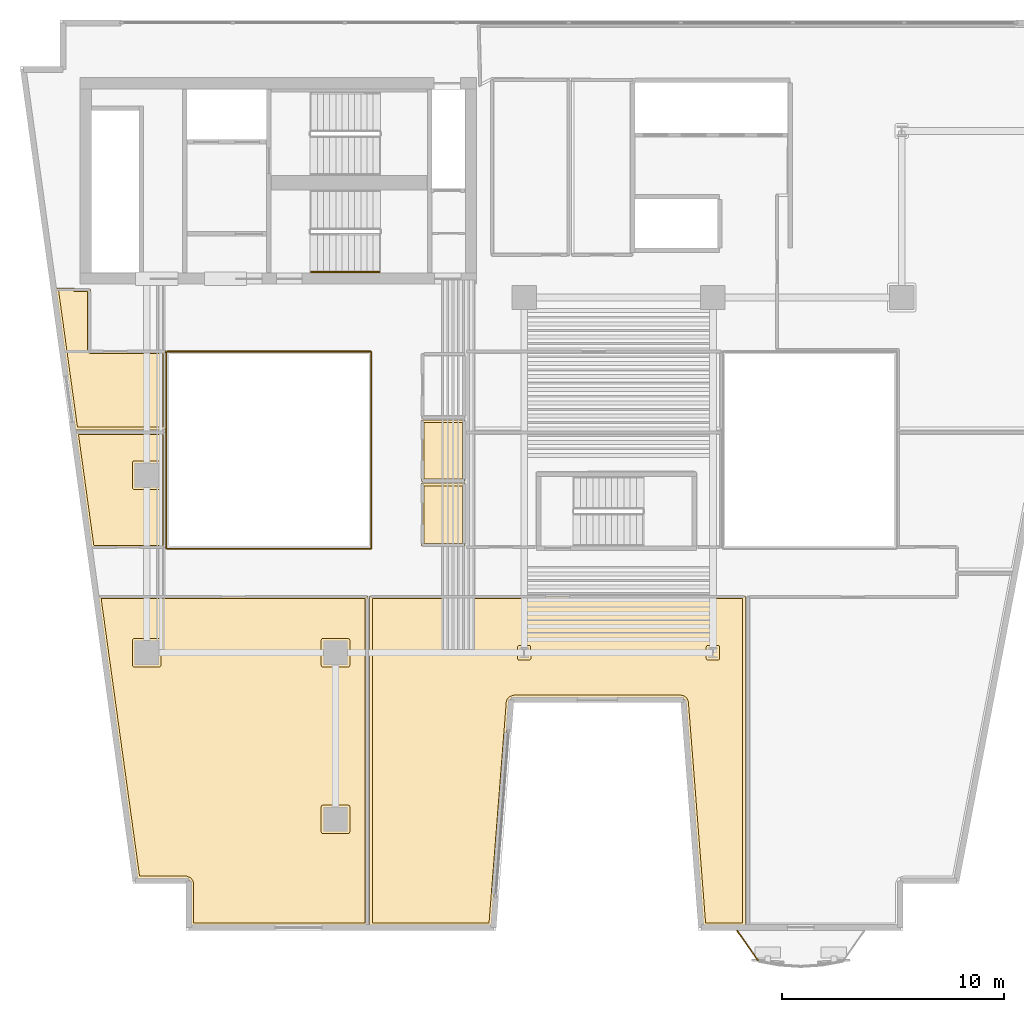
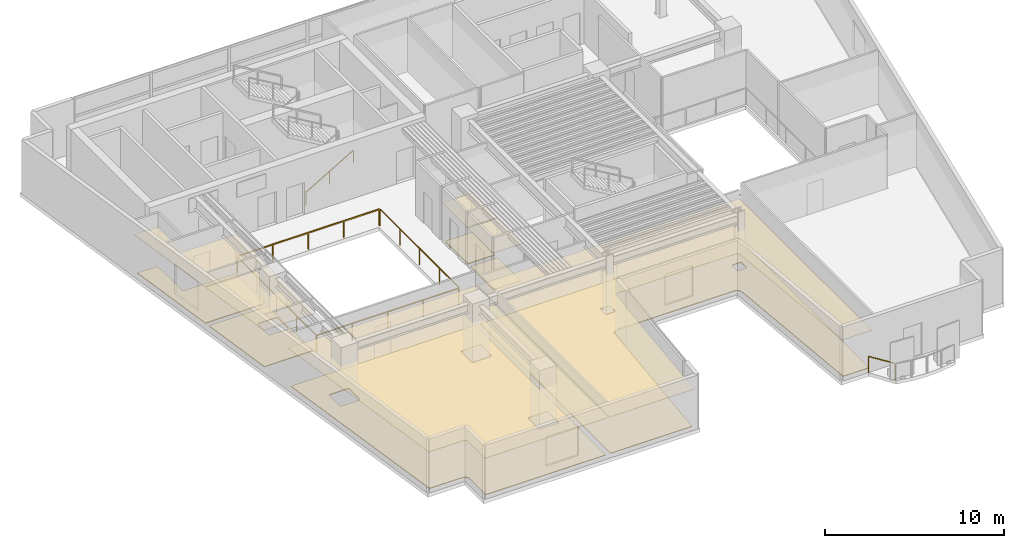
# One storey, part 9 of 13: 12 coverings, 6 railings.
"""IFC4 building model written with IfcOpenShell, lengths in metres."""

from ifc_helpers import new_model, si_unit, direction, frame, origin, origin_2d, place, context, subcontext, project, spatial, polyline, rectangle, outline, extrude, material, layer, layer_set, type_object, element, save


model = new_model("IFC4")

# Units and contexts
model_context = context("Model", 3, precision=1e-05, world=origin(), true_north=direction((0.0, 1.0)))
body_context = subcontext(model_context, "Body", "Model", "MODEL_VIEW")
ifc_project = project(units=[si_unit("LENGTHUNIT", "METRE"), si_unit("AREAUNIT", "SQUARE_METRE"), si_unit("VOLUMEUNIT", "CUBIC_METRE"), si_unit("PLANEANGLEUNIT", "RADIAN"), si_unit("MASSUNIT", "GRAM", prefix="KILO")], contexts=[model_context])

# Site, building, storey
site_placement = place(None, origin())
site = spatial("IfcSite", under=ifc_project, at=site_placement, CompositionType="ELEMENT")
building_placement = place(site_placement, origin())
building = spatial("IfcBuilding", under=site, at=building_placement, Name="Caeloran Harvest Quay", CompositionType="ELEMENT")
storey_placement = place(building_placement, frame((0.0, 0.0, 139.050048828125)))
storey = spatial("IfcBuildingStorey", under=building, at=storey_placement, Name="L32", CompositionType="ELEMENT", Elevation=139.050048828125)

# Coverings
ifc_material_1 = material(Name="Perforated Mineral-Fibre Acoustic Ceiling Tile", Category="ceiling")
ifc_layer_1 = layer(ifc_material_1, 0.0400390625, Name="Perforated Mineral-Fibre Acoustic Ceiling Tile")
ifc_layer_set_1 = layer_set([ifc_layer_1], Name="Perforated Mineral-Fibre Acoustic Ceiling Tile")
covering_type_1 = type_object("IfcCoveringType", Name="COV-CEILING-ACOUSTIC", PredefinedType="CEILING", material=ifc_layer_set_1)
covering_1_placement = place(storey_placement, frame((0.0, 0.0, 2.599853515625)))
element("IfcCovering", 1, at=covering_1_placement, inside=storey, type_object=covering_type_1, Name="L32 Female Washroom WC Acoustic Ceiling", PredefinedType="CEILING", context=body_context, shape_type="SweptSolid", body=[
    extrude(outline(polyline([(22.840087890625, 22.7099609375), (20.8701171875, 22.7099609375), (20.8701171875, 25.489990234375), (22.840087890625, 25.489990234375), (22.840087890625, 22.7099609375)])), origin(), (0.0, 0.0, 1.0), 0.0400390625),
])
covering_2_placement = place(storey_placement, frame((0.0, 0.0, 2.599853515625)))
element("IfcCovering", 2, at=covering_2_placement, inside=storey, type_object=covering_type_1, Name="L32 Accessible Unisex Washroom WC Acoustic Ceiling", PredefinedType="CEILING", context=body_context, shape_type="SweptSolid", body=[
    extrude(outline(polyline([(22.840087890625, 19.81005859375), (20.8701171875, 19.81005859375), (20.8701171875, 22.639892578125), (22.840087890625, 22.639892578125), (22.840087890625, 19.81005859375)])), origin(), (0.0, 0.0, 1.0), 0.0400390625),
])
covering_3_placement = place(storey_placement, frame((0.0, 0.0, 2.599853515625)))
element("IfcCovering", 3, at=covering_3_placement, inside=storey, type_object=covering_type_1, Name="Cellular Agriculture Bioprocess Laboratory Acoustic Ceiling", PredefinedType="CEILING", context=body_context, shape_type="SweptSolid", body=[
    extrude(outline(polyline([(10.452880859375, 4.72216796875), (10.373779296875, 4.7939453125), (10.26904296875, 4.820068359375), (8.0712890625, 4.820068359375), (6.309326171875, 17.56005859375), (18.4599609375, 17.56005859375), (18.4599609375, 2.719970703125), (10.489990234375, 2.719970703125), (10.489990234375, 4.59912109375), (10.452880859375, 4.72216796875)])), origin(), (0.0, 0.0, 1.0), 0.0400390625),
])
covering_4_placement = place(storey_placement, frame((0.0, 0.0, 2.599853515625)))
element("IfcCovering", 4, at=covering_4_placement, inside=storey, type_object=covering_type_1, Name="Fermentation Pilot Laboratory Acoustic Ceiling", PredefinedType="CEILING", context=body_context, shape_type="SweptSolid", body=[
    extrude(outline(polyline([(32.771484375, 12.788818359375), (32.739501953125, 12.86962890625), (32.696044921875, 12.918701171875), (32.61962890625, 12.960205078125), (32.553955078125, 12.969970703125), (25.031005859375, 12.969970703125), (24.90625, 12.931884765625), (24.83447265625, 12.850830078125), (24.810546875, 12.76611328125), (24.026611328125, 2.719970703125), (18.5400390625, 2.719970703125), (18.5400390625, 17.56005859375), (35.4599609375, 17.56005859375), (35.4599609375, 2.719970703125), (33.55859375, 2.719970703125), (32.771484375, 12.788818359375)])), origin(), (0.0, 0.0, 1.0), 0.0400390625),
])
covering_5_placement = place(storey_placement, frame((0.0, 0.0, 2.599853515625)))
element("IfcCovering", 5, at=covering_5_placement, inside=storey, type_object=covering_type_1, Name="Design Thinking Seminar Hall Acoustic Ceiling", PredefinedType="CEILING", context=body_context, shape_type="SweptSolid", body=[
    extrude(outline(polyline([(9.360107421875, 19.7099609375), (6.01220703125, 19.7099609375), (5.285888671875, 24.9599609375), (9.360107421875, 24.9599609375), (9.360107421875, 19.7099609375)])), origin(), (0.0, 0.0, 1.0), 0.0400390625),
])
covering_6_placement = place(storey_placement, frame((0.0, 0.0, 2.599853515625)))
element("IfcCovering", 6, at=covering_6_placement, inside=storey, type_object=covering_type_1, Name="Cellular Agriculture Bioprocess Laboratory 8 Acoustic Ceiling", PredefinedType="CEILING", context=body_context, shape_type="SweptSolid", body=[
    extrude(outline(polyline([(5.260009765625, 31.389892578125), (5.9599609375, 31.389892578125), (5.9599609375, 28.610107421875), (9.360107421875, 28.610107421875), (9.360107421875, 25.0400390625), (5.27490234375, 25.0400390625), (4.391357421875, 31.429931640625), (5.214599609375, 31.429931640625), (5.260009765625, 31.408447265625), (5.260009765625, 31.389892578125)])), origin(), (0.0, 0.0, 1.0), 0.0400390625),
])
ifc_material_2 = material(Name="Calcium-Sulphate Raised Access Floor and Terrazzo Finish", Category="flooring")
ifc_layer_2 = layer(ifc_material_2, 0.050048828125, Name="Calcium-Sulphate Raised Access Floor and Terrazzo Finish")
ifc_layer_set_2 = layer_set([ifc_layer_2], Name="Calcium-Sulphate Raised Access Floor and Terrazzo Finish")
covering_type_2 = type_object("IfcCoveringType", Name="COV-FLOOR-RAISED", PredefinedType="FLOORING", material=ifc_layer_set_2)
covering_7_placement = place(storey_placement, origin())
element("IfcCovering", 7, at=covering_7_placement, inside=storey, type_object=covering_type_2, Name="L32 Female Washroom WC Raised Finish Flooring", PredefinedType="FLOORING", context=body_context, shape_type="SweptSolid", body=[
    extrude(outline(polyline([(22.719970703125, 22.830078125), (20.989990234375, 22.830078125), (20.989990234375, 25.3701171875), (22.719970703125, 25.3701171875), (22.719970703125, 22.830078125)])), origin(), (0.0, 0.0, 1.0), 0.050048828125),
])
covering_8_placement = place(storey_placement, origin())
element("IfcCovering", 8, at=covering_8_placement, inside=storey, type_object=covering_type_2, Name="L32 Accessible Unisex Washroom WC Raised Finish Flooring", PredefinedType="FLOORING", context=body_context, shape_type="SweptSolid", body=[
    extrude(outline(polyline([(22.719970703125, 19.929931640625), (20.989990234375, 19.929931640625), (20.989990234375, 22.52001953125), (22.719970703125, 22.52001953125), (22.719970703125, 19.929931640625)])), origin(), (0.0, 0.0, 1.0), 0.050048828125),
])
covering_9_placement = place(storey_placement, origin())
element("IfcCovering", 9, at=covering_9_placement, inside=storey, type_object=covering_type_2, Name="Cellular Agriculture Bioprocess Laboratory Raised Finish Flooring", PredefinedType="FLOORING", context=body_context, shape_type="SweptSolid", body=[
    extrude(outline(polyline([(10.58544921875, 4.726318359375), (10.482666015625, 4.865234375), (10.29931640625, 4.938720703125), (8.17578125, 4.93994140625), (6.447021484375, 17.43994140625), (18.340087890625, 17.43994140625), (18.340087890625, 2.840087890625), (10.610107421875, 2.840087890625), (10.610107421875, 4.60009765625), (10.58544921875, 4.726318359375)]), holes=[polyline([(16.43505859375, 8.14501953125), (16.37841796875, 8.12158203125), (16.35498046875, 8.06494140625), (16.35498046875, 6.93505859375), (16.37841796875, 6.87841796875), (16.43505859375, 6.85498046875), (17.56494140625, 6.85498046875), (17.62158203125, 6.87841796875), (17.64501953125, 6.93505859375), (17.64501953125, 8.06494140625), (17.62158203125, 8.12158203125), (17.56494140625, 8.14501953125), (16.43505859375, 8.14501953125)]), polyline([(16.43505859375, 15.64501953125), (16.37841796875, 15.62158203125), (16.35498046875, 15.56494140625), (16.35498046875, 14.43505859375), (16.37841796875, 14.37841796875), (16.43505859375, 14.35498046875), (17.56494140625, 14.35498046875), (17.62158203125, 14.37841796875), (17.64501953125, 14.43505859375), (17.64501953125, 15.56494140625), (17.62158203125, 15.62158203125), (17.56494140625, 15.64501953125), (16.43505859375, 15.64501953125)]), polyline([(7.93505859375, 15.64501953125), (7.87841796875, 15.62158203125), (7.85498046875, 15.56494140625), (7.85498046875, 14.43505859375), (7.87841796875, 14.37841796875), (7.93505859375, 14.35498046875), (9.06494140625, 14.35498046875), (9.12158203125, 14.37841796875), (9.14501953125, 14.43505859375), (9.14501953125, 15.56494140625), (9.12158203125, 15.62158203125), (9.06494140625, 15.64501953125), (7.93505859375, 15.64501953125)])]), origin(), (0.0, 0.0, 1.0), 0.050048828125),
])
covering_10_placement = place(storey_placement, origin())
element("IfcCovering", 10, at=covering_10_placement, inside=storey, type_object=covering_type_2, Name="Fermentation Pilot Laboratory Raised Finish Flooring", PredefinedType="FLOORING", context=body_context, shape_type="SweptSolid", body=[
    extrude(outline(polyline([(32.89404296875, 12.776611328125), (32.85888671875, 12.902099609375), (32.795166015625, 12.990478515625), (32.68310546875, 13.06494140625), (32.55908203125, 13.08984375), (25.030029296875, 13.090087890625), (24.835693359375, 13.02880859375), (24.729736328125, 12.9091796875), (24.69091796875, 12.776611328125), (23.91552734375, 2.840087890625), (18.659912109375, 2.840087890625), (18.659912109375, 17.43994140625), (35.340087890625, 17.43994140625), (35.340087890625, 2.840087890625), (33.66943359375, 2.840087890625), (32.89404296875, 12.776611328125)]), holes=[polyline([(34.306884765625, 14.748046875), (34.288818359375, 15.302734375), (34.23486328125, 15.33154296875), (33.77294921875, 15.33203125), (33.71630859375, 15.30859375), (33.693115234375, 15.251953125), (33.693115234375, 14.748046875), (33.71630859375, 14.69140625), (33.77294921875, 14.66796875), (34.22705078125, 14.66796875), (34.28369140625, 14.69140625), (34.306884765625, 14.748046875)]), polyline([(25.806884765625, 14.748046875), (25.788818359375, 15.302734375), (25.73486328125, 15.33154296875), (25.27294921875, 15.33203125), (25.21630859375, 15.30859375), (25.193115234375, 15.251953125), (25.193115234375, 14.748046875), (25.21630859375, 14.69140625), (25.27294921875, 14.66796875), (25.72705078125, 14.66796875), (25.78369140625, 14.69140625), (25.806884765625, 14.748046875)])]), origin(), (0.0, 0.0, 1.0), 0.050048828125),
])
covering_11_placement = place(storey_placement, origin())
element("IfcCovering", 11, at=covering_11_placement, inside=storey, type_object=covering_type_2, Name="Design Thinking Seminar Hall Raised Finish Flooring", PredefinedType="FLOORING", context=body_context, shape_type="SweptSolid", body=[
    extrude(outline(polyline([(9.239990234375, 24.840087890625), (9.239990234375, 19.830078125), (6.11669921875, 19.830078125), (5.423828125, 24.840087890625), (9.239990234375, 24.840087890625)]), holes=[polyline([(9.14501953125, 23.56494140625), (9.12158203125, 23.62158203125), (9.06494140625, 23.64501953125), (7.93505859375, 23.64501953125), (7.87841796875, 23.62158203125), (7.85498046875, 23.56494140625), (7.85498046875, 22.43505859375), (7.87841796875, 22.37841796875), (7.93505859375, 22.35498046875), (9.06494140625, 22.35498046875), (9.12158203125, 22.37841796875), (9.14501953125, 22.43505859375), (9.14501953125, 23.56494140625)])]), origin(), (0.0, 0.0, 1.0), 0.050048828125),
])
covering_12_placement = place(storey_placement, origin())
element("IfcCovering", 12, at=covering_12_placement, inside=storey, type_object=covering_type_2, Name="Cellular Agriculture Bioprocess Laboratory 8 Raised Finish Flooring", PredefinedType="FLOORING", context=body_context, shape_type="SweptSolid", body=[
    extrude(outline(polyline([(5.165283203125, 31.31005859375), (5.2431640625, 31.270263671875), (5.840087890625, 31.27001953125), (5.840087890625, 28.60009765625), (5.8857421875, 28.5107421875), (5.949951171875, 28.489990234375), (9.239990234375, 28.489990234375), (9.239990234375, 25.159912109375), (5.37939453125, 25.159912109375), (4.529052734375, 31.31005859375), (5.165283203125, 31.31005859375)])), origin(), (0.0, 0.0, 1.0), 0.050048828125),
])

# Railings
ifc_material_3 = material(Name="Powder-Coated Steel Post and Laminated Glass Guardrail", Category="steel")
ifc_layer_3 = layer(ifc_material_3, 0.06005859375, Name="Powder-Coated Steel Post and Laminated Glass Guardrail")
ifc_layer_set_3 = layer_set([ifc_layer_3], Name="Powder-Coated Steel Post and Laminated Glass Guardrail")
railing_type_1 = type_object("IfcRailingType", Name="GUARD-ATRIUM-1150", PredefinedType="GUARDRAIL", material=ifc_layer_set_3)
railing_1_placement = place(storey_placement, frame((9.412109375, 19.679931640625, 0.0)))
element("IfcRailing", 13, at=railing_1_placement, inside=storey, type_object=railing_type_1, Name="L32 Skylit Atrium Void Perimeter Guardrail Seg 1", PredefinedType="GUARDRAIL", context=body_context, shape_type="SweptSolid", body=[
    extrude(rectangle(XDim=0.048095703125, YDim=0.048095703125, at=origin_2d()), frame((0.0, 0.0, 1.1259765625), z_axis=(1.0, 0.0, 0.0), x_axis=(0.0, 1.0, 0.0)), (0.0, 0.0, 1.0), 9.17578125),
    extrude(rectangle(XDim=0.0419921875, YDim=0.0419921875, at=origin_2d()), origin(), (0.0, 0.0, 1.0), 1.101806640625),
    extrude(rectangle(XDim=0.0419921875, YDim=0.0419921875, at=origin_2d()), frame((2.2939453125, 0.0, 0.0)), (0.0, 0.0, 1.0), 1.101806640625),
    extrude(rectangle(XDim=0.0419921875, YDim=0.0419921875, at=origin_2d()), frame((4.587890625, 0.0, 0.0)), (0.0, 0.0, 1.0), 1.101806640625),
    extrude(rectangle(XDim=0.0419921875, YDim=0.0419921875, at=origin_2d()), frame((6.8818359375, 0.0, 0.0)), (0.0, 0.0, 1.0), 1.101806640625),
    extrude(rectangle(XDim=0.0419921875, YDim=0.0419921875, at=origin_2d()), frame((9.17578125, 0.0, 0.0)), (0.0, 0.0, 1.0), 1.101806640625),
])
railing_2_placement = place(storey_placement, frame((18.6201171875, 19.7119140625, 0.0)))
element("IfcRailing", 14, at=railing_2_placement, inside=storey, type_object=railing_type_1, Name="L32 Skylit Atrium Void Perimeter Guardrail Seg 2", PredefinedType="GUARDRAIL", context=body_context, shape_type="SweptSolid", body=[
    extrude(rectangle(XDim=0.048095703125, YDim=0.048095703125, at=origin_2d()), frame((0.0, 0.0, 1.1259765625), z_axis=(0.0, 1.0, 0.0), x_axis=(-1.0, 0.0, 0.0)), (0.0, 0.0, 1.0), 8.826171875),
    extrude(rectangle(XDim=0.0419921875, YDim=0.0419921875, at=origin_2d()), origin(), (0.0, 0.0, 1.0), 1.101806640625),
    extrude(rectangle(XDim=0.0419921875, YDim=0.0419921875, at=origin_2d()), frame((0.0, 2.20654296875, 0.0)), (0.0, 0.0, 1.0), 1.101806640625),
    extrude(rectangle(XDim=0.0419921875, YDim=0.0419921875, at=origin_2d()), frame((0.0, 4.4130859375, 0.0)), (0.0, 0.0, 1.0), 1.101806640625),
    extrude(rectangle(XDim=0.0419921875, YDim=0.0419921875, at=origin_2d()), frame((0.0, 6.61962890625, 0.0)), (0.0, 0.0, 1.0), 1.101806640625),
    extrude(rectangle(XDim=0.0419921875, YDim=0.0419921875, at=origin_2d()), frame((0.0, 8.826171875, 0.0)), (0.0, 0.0, 1.0), 1.101806640625),
])
railing_3_placement = place(storey_placement, frame((18.587890625, 28.570068359375, 0.0)))
element("IfcRailing", 15, at=railing_3_placement, inside=storey, type_object=railing_type_1, Name="L32 Skylit Atrium Void Perimeter Guardrail Seg 3", PredefinedType="GUARDRAIL", context=body_context, shape_type="SweptSolid", body=[
    extrude(rectangle(XDim=0.048095703125, YDim=0.048095703125, at=origin_2d()), frame((0.0, 0.0, 1.1259765625), z_axis=(-1.0, 0.0, 0.0), x_axis=(0.0, -1.0, 0.0)), (0.0, 0.0, 1.0), 9.17578125),
    extrude(rectangle(XDim=0.0419921875, YDim=0.0419921875, at=origin_2d()), origin(), (0.0, 0.0, 1.0), 1.101806640625),
    extrude(rectangle(XDim=0.0419921875, YDim=0.0419921875, at=origin_2d()), frame((-2.2939453125, 0.0, 0.0)), (0.0, 0.0, 1.0), 1.101806640625),
    extrude(rectangle(XDim=0.0419921875, YDim=0.0419921875, at=origin_2d()), frame((-4.587890625, 0.0, 0.0)), (0.0, 0.0, 1.0), 1.101806640625),
    extrude(rectangle(XDim=0.0419921875, YDim=0.0419921875, at=origin_2d()), frame((-6.8818359375, 0.0, 0.0)), (0.0, 0.0, 1.0), 1.101806640625),
    extrude(rectangle(XDim=0.0419921875, YDim=0.0419921875, at=origin_2d()), frame((-9.17578125, 0.0, 0.0)), (0.0, 0.0, 1.0), 1.101806640625),
])
railing_4_placement = place(storey_placement, frame((9.3798828125, 28.5380859375, 0.0)))
element("IfcRailing", 16, at=railing_4_placement, inside=storey, type_object=railing_type_1, Name="L32 Skylit Atrium Void Perimeter Guardrail Seg 4", PredefinedType="GUARDRAIL", context=body_context, shape_type="SweptSolid", body=[
    extrude(rectangle(XDim=0.048095703125, YDim=0.048095703125, at=origin_2d()), frame((0.0, 0.0, 1.1259765625), z_axis=(0.0, -1.0, 0.0), x_axis=(1.0, 0.0, 0.0)), (0.0, 0.0, 1.0), 8.826171875),
    extrude(rectangle(XDim=0.0419921875, YDim=0.0419921875, at=origin_2d()), origin(), (0.0, 0.0, 1.0), 1.101806640625),
    extrude(rectangle(XDim=0.0419921875, YDim=0.0419921875, at=origin_2d()), frame((0.0, -2.20654296875, 0.0)), (0.0, 0.0, 1.0), 1.101806640625),
    extrude(rectangle(XDim=0.0419921875, YDim=0.0419921875, at=origin_2d()), frame((0.0, -4.4130859375, 0.0)), (0.0, 0.0, 1.0), 1.101806640625),
    extrude(rectangle(XDim=0.0419921875, YDim=0.0419921875, at=origin_2d()), frame((0.0, -6.61962890625, 0.0)), (0.0, 0.0, 1.0), 1.101806640625),
    extrude(rectangle(XDim=0.0419921875, YDim=0.0419921875, at=origin_2d()), frame((0.0, -8.826171875, 0.0)), (0.0, 0.0, 1.0), 1.101806640625),
])
ifc_material_4 = material(Name="Laminated Safety Glass and Stainless Steel 316", Category="steel")
ifc_layer_4 = layer(ifc_material_4, 0.06005859375, Name="Laminated Safety Glass and Stainless Steel 316")
ifc_layer_set_4 = layer_set([ifc_layer_4], Name="Laminated Safety Glass and Stainless Steel 316")
railing_type_2 = type_object("IfcRailingType", Name="GUARD-BALUSTRADE-1150", PredefinedType="BALUSTRADE", material=ifc_layer_set_4)
railing_5_placement = place(storey_placement, frame((36.02685546875, 1.149658203125, 0.0)))
element("IfcRailing", 17, at=railing_5_placement, inside=storey, type_object=railing_type_2, Name="L32 Planted Balcony Perimeter Balustrade Guard Seg 6", PredefinedType="BALUSTRADE", context=body_context, shape_type="SweptSolid", body=[
    extrude(rectangle(XDim=0.048095703125, YDim=0.048095703125, at=origin_2d()), frame((0.0, 0.0, 1.1259765625), z_axis=(-0.576147163923, 0.817345976624, 0.0), x_axis=(-0.817345976624, -0.576147163923, 0.0)), (0.0, 0.0, 1.0), 1.627685546875),
    extrude(rectangle(XDim=0.0419921875, YDim=0.0419921875, at=origin_2d()), origin(), (0.0, 0.0, 1.0), 1.101806640625),
    extrude(rectangle(XDim=0.0419921875, YDim=0.0419921875, at=origin_2d()), frame((-0.937744140625, 1.330322265625, 0.0)), (0.0, 0.0, 1.0), 1.101806640625),
])
ifc_material_5 = material(Name="Brushed Stainless Steel Grade 304", Category="steel")
ifc_layer_5 = layer(ifc_material_5, 0.050048828125, Name="Brushed Stainless Steel Grade 304")
ifc_layer_set_5 = layer_set([ifc_layer_5], Name="Brushed Stainless Steel Grade 304")
railing_type_3 = type_object("IfcRailingType", Name="STAIR-HANDRAIL-900", PredefinedType="HANDRAIL", material=ifc_layer_set_5)
railing_6_placement = place(storey_placement, frame((15.89990234375, 32.14990234375, 0.16455078125)))
element("IfcRailing", 18, at=railing_6_placement, inside=storey, type_object=railing_type_3, Name="L32 ST-C2 stair handrail 1", PredefinedType="HANDRAIL", context=body_context, shape_type="SweptSolid", body=[
    extrude(rectangle(XDim=0.048095703125, YDim=0.048095703125, at=origin_2d()), frame((0.0, 0.0, 0.8759765625), z_axis=(0.862118610829, 0.0, 0.506706523406), x_axis=(0.0, 1.0, 0.0)), (0.0, 0.0, 1.0), 3.57275390625),
    extrude(rectangle(XDim=0.0419921875, YDim=0.0419921875, at=origin_2d()), origin(), (0.0, 0.0, 1.0), 0.851806640625),
    extrude(rectangle(XDim=0.0419921875, YDim=0.0419921875, at=origin_2d()), frame((1.5400390625, 0.0, 0.9052734375)), (0.0, 0.0, 1.0), 0.851806640625),
    extrude(rectangle(XDim=0.0419921875, YDim=0.0419921875, at=origin_2d()), frame((3.080078125, 0.0, 1.810302734375)), (0.0, 0.0, 1.0), 0.851806640625),
])

save(model, "model.ifc")
